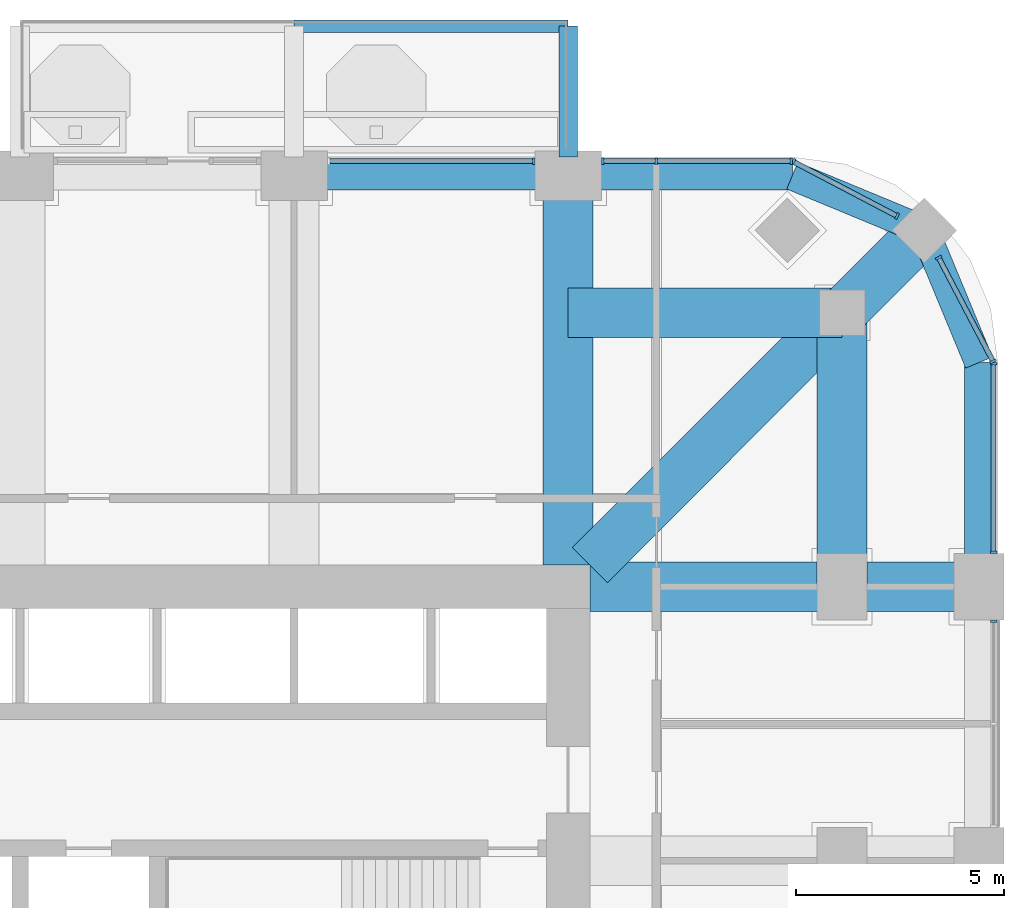
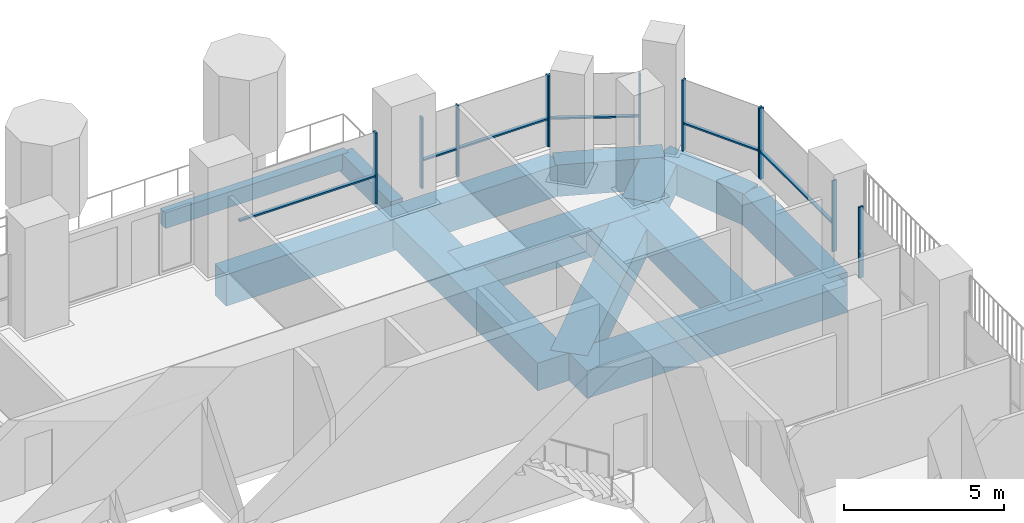
# One storey, part 7 of 20: 17 members, 13 beams, 6 elements without a shape of their own.
"""IFC4 building model written with IfcOpenShell, lengths in metres."""

from ifc_helpers import new_model, si_unit, direction, frame, origin, origin_2d, place, context, subcontext, project, spatial, rectangle, extrude, material, material_profile, profile_set, type_object, element, aggregate, save


model = new_model("IFC4")

# Units and contexts
model_context = context("Model", 3, precision=1e-05, world=origin(), true_north=direction((0.0, 1.0)))
body_context = subcontext(model_context, "Body", "Model", "MODEL_VIEW")
ifc_project = project(units=[si_unit("LENGTHUNIT", "METRE"), si_unit("AREAUNIT", "SQUARE_METRE"), si_unit("VOLUMEUNIT", "CUBIC_METRE"), si_unit("PLANEANGLEUNIT", "RADIAN"), si_unit("MASSUNIT", "GRAM", prefix="KILO")], contexts=[model_context])

# Site, building, storey
site_placement = place(None, origin())
site = spatial("IfcSite", under=ifc_project, at=site_placement, CompositionType="ELEMENT")
building_placement = place(site_placement, origin())
building = spatial("IfcBuilding", under=site, at=building_placement, Name="Cobogo Forest Laboratory Tower", CompositionType="ELEMENT")
storey_placement = place(building_placement, frame((0.0, 0.0, 180.89990234375)))
storey = spatial("IfcBuildingStorey", under=building, at=storey_placement, Name="L41", CompositionType="ELEMENT", Elevation=180.89990234375)

# Beams
ifc_material_1 = material(Name="Concrete HA-40 (C40/50)", Category="concrete")
ifc_material_profile_1 = material_profile(ifc_material_1, rectangle(XDim=0.449951171875, YDim=0.75, at=origin_2d()), Name="RC 450x750")
ifc_profile_set_1 = profile_set([ifc_material_profile_1], Name="Concrete HA-40 (C40/50)")
beam_type_1 = type_object("IfcBeamType", Name="Balcony cantilever beam 450x750", PredefinedType="BEAM", material=ifc_profile_set_1)
beam_1_placement = place(storey_placement, frame((39.60009765625, 43.35009765625, -0.625), z_axis=(0.0, 1.0, 0.0), x_axis=(-1.0, 0.0, 0.0)))
element("IfcBeam", 1, at=beam_1_placement, inside=storey, type_object=beam_type_1, Name="CB1 BAL-N1-C3 L41", PredefinedType="BEAM", context=body_context, shape_type="SweptSolid", body=[
    extrude(rectangle(XDim=0.449951171875, YDim=0.75, at=origin_2d()), origin(), (0.0, 0.0, 1.0), 3.14990234375),
])
ifc_material_profile_2 = material_profile(ifc_material_1, rectangle(XDim=0.300048828125, YDim=0.60009765625, at=origin_2d()), Name="RC 300x600")
ifc_profile_set_2 = profile_set([ifc_material_profile_2], Name="Concrete HA-40 (C40/50)")
beam_type_2 = type_object("IfcBeamType", Name="Balcony edge beam 300x600", PredefinedType="BEAM", material=ifc_profile_set_2)
beam_2_placement = place(storey_placement, frame((33.0, 46.5, -0.5498046875), z_axis=(1.0, 0.0, 0.0), x_axis=(0.0, 1.0, 0.0)))
element("IfcBeam", 2, at=beam_2_placement, inside=storey, type_object=beam_type_2, Name="BB1 BAL-N1-T2 L41", PredefinedType="BEAM", context=body_context, shape_type="SweptSolid", body=[
    extrude(rectangle(XDim=0.300048828125, YDim=0.60009765625, at=origin_2d()), origin(), (0.0, 0.0, 1.0), 6.60009765625),
])
ifc_material_profile_3 = material_profile(ifc_material_1, rectangle(XDim=1.199951171875, YDim=1.050048828125, at=origin_2d()), Name="RC 1200x1050")
ifc_profile_set_3 = profile_set([ifc_material_profile_3], Name="Concrete HA-40 (C40/50)")
beam_type_3 = type_object("IfcBeamType", Name="Laboratory floor wide beam 1200x1050", PredefinedType="BEAM", material=ifc_profile_set_3)
for number, where, z_axis, x_axis, name in (
    (3, (39.60009765625, 33.52490234375, -0.824951171875), (0.0, 1.0, 0.0), (-1.0, 0.0, 0.0), "RB1 R-7-N L41"),
    (4, (40.125, 33.0, -0.824951171875), (1.0, 0.0, 0.0), (0.0, 1.0, 0.0), "RB1 R-F-E L41"),
):
    element("IfcBeam", number, at=place(storey_placement, frame(where, z_axis=z_axis, x_axis=x_axis)), inside=storey, type_object=beam_type_3, Name=name, PredefinedType="BEAM", context=body_context, shape_type="SweptSolid", body=[
        extrude(rectangle(XDim=1.199951171875, YDim=1.050048828125, at=origin_2d()), origin(), (0.0, 0.0, 1.0), 9.375),
    ])
beam_3_placement = place(storey_placement, frame((46.199951171875, 39.60009765625, -0.824951171875), z_axis=(0.0, -1.0, 0.0), x_axis=(1.0, 0.0, 0.0)))
element("IfcBeam", 5, at=beam_3_placement, inside=storey, type_object=beam_type_3, Name="RB1 G-NE-XC L41", PredefinedType="BEAM", context=body_context, shape_type="SweptSolid", body=[
    extrude(rectangle(XDim=1.199951171875, YDim=1.050048828125, at=origin_2d()), origin(), (0.0, 0.0, 1.0), 6.60009765625),
])
beam_4_placement = place(storey_placement, frame((46.199951171875, 39.60009765625, -0.824951171875), z_axis=(-1.0, 0.0, 0.0), x_axis=(0.0, -1.0, 0.0)))
element("IfcBeam", 6, at=beam_4_placement, inside=storey, type_object=beam_type_3, Name="RB1 G-NE-YC L41", PredefinedType="BEAM", context=body_context, shape_type="SweptSolid", body=[
    extrude(rectangle(XDim=1.199951171875, YDim=1.050048828125, at=origin_2d()), origin(), (0.0, 0.0, 1.0), 6.599853515625),
])
beam_5_placement = place(storey_placement, frame((48.181884765625, 41.58203125, -0.824951171875), z_axis=(-0.707106781187, -0.707106781187, 0.0), x_axis=(0.707106781187, -0.707106781187, 0.0)))
element("IfcBeam", 7, at=beam_5_placement, inside=storey, type_object=beam_type_3, Name="RB1 G-NE-D1 L41", PredefinedType="BEAM", context=body_context, shape_type="SweptSolid", body=[
    extrude(rectangle(XDim=1.199951171875, YDim=1.050048828125, at=origin_2d()), origin(), (0.0, 0.0, 1.0), 2.802978515625),
])
beam_6_placement = place(storey_placement, frame((46.199951171875, 39.60009765625, -0.824951171875), z_axis=(-0.707092572697, -0.70712098939, 0.0), x_axis=(0.70712098939, -0.707092572697, 0.0)))
element("IfcBeam", 8, at=beam_6_placement, inside=storey, type_object=beam_type_3, Name="RB1 G-NE-D2 L41", PredefinedType="BEAM", context=body_context, shape_type="SweptSolid", body=[
    extrude(rectangle(XDim=1.199951171875, YDim=1.050048828125, at=origin_2d()), origin(), (0.0, 0.0, 1.0), 8.591552734375),
])

# Curtain wall, member
ifc_material_2 = material(Name="Aluminium curtain wall", Category="aluminium")
curtain_wall_type = type_object("IfcCurtainWallType", Name="CW-2 unitised curtain wall, solar control glazing, laboratory floors zones C and D", PredefinedType="USERDEFINED", material=ifc_material_2)
curtain_wall_1_placement = place(storey_placement, origin())
curtain_wall_1 = element("IfcCurtainWall", 9, at=curtain_wall_1_placement, inside=storey, type_object=curtain_wall_type, Name="Curtain wall 12 L41", ObjectType="UNITISED CURTAIN WALL", PredefinedType="USERDEFINED")
ifc_material_3 = material(Name="Aluminium mullion", Category="aluminium")
ifc_material_profile_4 = material_profile(ifc_material_3, rectangle(XDim=0.06005859375, YDim=0.159912109375, at=origin_2d()), Name="AL 60x160")
ifc_profile_set_4 = profile_set([ifc_material_profile_4], Name="Aluminium mullion")
member_type_1 = type_object("IfcMemberType", Name="MU-1 aluminium mullion 60x160", PredefinedType="MULLION", material=ifc_profile_set_4)
member_1_placement = place(storey_placement, frame((49.85009765625, 32.169921875, 0.0), z_axis=(0.0, 0.0, 1.0), x_axis=(0.0, 1.0, 0.0)))
member_1 = element("IfcMember", 10, at=member_1_placement, type_object=member_type_1, Name="CW-2 mullion 3", PredefinedType="MULLION", context=body_context, shape_type="SweptSolid", body=[
    extrude(rectangle(XDim=0.06005859375, YDim=0.159912109375, at=origin_2d()), origin(), (0.0, 0.0, 1.0), 2.7001953125),
])
aggregate(curtain_wall_1, [member_1])

# Curtain wall, members
curtain_wall_2_placement = place(storey_placement, origin())
curtain_wall_2 = element("IfcCurtainWall", 11, at=curtain_wall_2_placement, inside=storey, type_object=curtain_wall_type, Name="Curtain wall 13 L41", ObjectType="UNITISED CURTAIN WALL", PredefinedType="USERDEFINED")
member_2_placement = place(storey_placement, frame((49.85009765625, 33.830078125, 0.0), z_axis=(0.0, 0.0, 1.0), x_axis=(0.0, 1.0, 0.0)))
member_2 = element("IfcMember", 12, at=member_2_placement, type_object=member_type_1, Name="CW-2 mullion 1", PredefinedType="MULLION", context=body_context, shape_type="SweptSolid", body=[
    extrude(rectangle(XDim=0.06005859375, YDim=0.159912109375, at=origin_2d()), origin(), (0.0, 0.0, 1.0), 2.7001953125),
])
member_3_placement = place(storey_placement, frame((49.85009765625, 38.3701171875, 0.0), z_axis=(0.0, 0.0, 1.0), x_axis=(0.0, 1.0, 0.0)))
member_3 = element("IfcMember", 13, at=member_3_placement, type_object=member_type_1, Name="CW-2 mullion 2", PredefinedType="MULLION", context=body_context, shape_type="SweptSolid", body=[
    extrude(rectangle(XDim=0.06005859375, YDim=0.159912109375, at=origin_2d()), origin(), (0.0, 0.0, 1.0), 2.7001953125),
])

curtain_wall_3_placement = place(storey_placement, origin())
curtain_wall_3 = element("IfcCurtainWall", 14, at=curtain_wall_3_placement, inside=storey, type_object=curtain_wall_type, Name="Curtain wall 14 L41", ObjectType="UNITISED CURTAIN WALL", PredefinedType="USERDEFINED")
member_4_placement = place(storey_placement, frame((49.836181640625, 38.426513671875, 0.0), z_axis=(0.0, 0.0, 1.0), x_axis=(-0.464283804832, 0.885686484356, 0.0)))
member_4 = element("IfcMember", 15, at=member_4_placement, type_object=member_type_1, Name="CW-2 mullion 1", PredefinedType="MULLION", context=body_context, shape_type="SweptSolid", body=[
    extrude(rectangle(XDim=0.06005859375, YDim=0.159912109375, at=origin_2d()), origin(), (0.0, 0.0, 1.0), 2.7001953125),
])
member_5_placement = place(storey_placement, frame((48.526611328125, 40.924560546875, 0.0), z_axis=(0.0, 0.0, 1.0), x_axis=(-0.464283804832, 0.885686484356, 0.0)))
member_5 = element("IfcMember", 16, at=member_5_placement, type_object=member_type_1, Name="CW-2 mullion 2", PredefinedType="MULLION", context=body_context, shape_type="SweptSolid", body=[
    extrude(rectangle(XDim=0.06005859375, YDim=0.159912109375, at=origin_2d()), origin(), (0.0, 0.0, 1.0), 2.7001953125),
])

curtain_wall_4_placement = place(storey_placement, origin())
curtain_wall_4 = element("IfcCurtainWall", 17, at=curtain_wall_4_placement, inside=storey, type_object=curtain_wall_type, Name="Curtain wall 15 L41", ObjectType="UNITISED CURTAIN WALL", PredefinedType="USERDEFINED")
member_6_placement = place(storey_placement, frame((47.5244140625, 41.9267578125, 0.0), z_axis=(0.0, 0.0, 1.0), x_axis=(-0.885686484356, 0.464283804832, 0.0)))
member_6 = element("IfcMember", 18, at=member_6_placement, type_object=member_type_1, Name="CW-2 mullion 1", PredefinedType="MULLION", context=body_context, shape_type="SweptSolid", body=[
    extrude(rectangle(XDim=0.06005859375, YDim=0.159912109375, at=origin_2d()), origin(), (0.0, 0.0, 1.0), 2.7001953125),
])
member_7_placement = place(storey_placement, frame((45.026611328125, 43.236083984375, 0.0), z_axis=(0.0, 0.0, 1.0), x_axis=(-0.885686484356, 0.464283804832, 0.0)))
member_7 = element("IfcMember", 19, at=member_7_placement, type_object=member_type_1, Name="CW-2 mullion 2", PredefinedType="MULLION", context=body_context, shape_type="SweptSolid", body=[
    extrude(rectangle(XDim=0.06005859375, YDim=0.159912109375, at=origin_2d()), origin(), (0.0, 0.0, 1.0), 2.7001953125),
])

curtain_wall_5_placement = place(storey_placement, origin())
curtain_wall_5 = element("IfcCurtainWall", 20, at=curtain_wall_5_placement, inside=storey, type_object=curtain_wall_type, Name="Curtain wall 16 L41", ObjectType="UNITISED CURTAIN WALL", PredefinedType="USERDEFINED")
member_8_placement = place(storey_placement, frame((44.969970703125, 43.25, 0.0), z_axis=(0.0, 0.0, 1.0), x_axis=(-1.0, 0.0, 0.0)))
member_8 = element("IfcMember", 21, at=member_8_placement, type_object=member_type_1, Name="CW-2 mullion 1", PredefinedType="MULLION", context=body_context, shape_type="SweptSolid", body=[
    extrude(rectangle(XDim=0.06005859375, YDim=0.159912109375, at=origin_2d()), origin(), (0.0, 0.0, 1.0), 2.7001953125),
])
member_9_placement = place(storey_placement, frame((41.72509765625, 43.25, 0.0), z_axis=(0.0, 0.0, 1.0), x_axis=(-1.0, 0.0, 0.0)))
member_9 = element("IfcMember", 22, at=member_9_placement, type_object=member_type_1, Name="CW-2 mullion 2", PredefinedType="MULLION", context=body_context, shape_type="SweptSolid", body=[
    extrude(rectangle(XDim=0.06005859375, YDim=0.159912109375, at=origin_2d()), origin(), (0.0, 0.0, 1.0), 2.7001953125),
])
member_10_placement = place(storey_placement, frame((40.429931640625, 43.25, 0.0), z_axis=(0.0, 0.0, 1.0), x_axis=(-1.0, 0.0, 0.0)))
member_10 = element("IfcMember", 23, at=member_10_placement, type_object=member_type_1, Name="CW-2 mullion 3", PredefinedType="MULLION", context=body_context, shape_type="SweptSolid", body=[
    extrude(rectangle(XDim=0.06005859375, YDim=0.159912109375, at=origin_2d()), origin(), (0.0, 0.0, 1.0), 2.7001953125),
])

# Curtain wall, member
curtain_wall_6_placement = place(storey_placement, origin())
curtain_wall_6 = element("IfcCurtainWall", 24, at=curtain_wall_6_placement, inside=storey, type_object=curtain_wall_type, Name="Curtain wall 17 L41", ObjectType="UNITISED CURTAIN WALL", PredefinedType="USERDEFINED")
member_11_placement = place(storey_placement, frame((38.77001953125, 43.25, 0.0), z_axis=(0.0, 0.0, 1.0), x_axis=(-1.0, 0.0, 0.0)))
member_11 = element("IfcMember", 25, at=member_11_placement, type_object=member_type_1, Name="CW-2 mullion 1", PredefinedType="MULLION", context=body_context, shape_type="SweptSolid", body=[
    extrude(rectangle(XDim=0.06005859375, YDim=0.159912109375, at=origin_2d()), origin(), (0.0, 0.0, 1.0), 2.7001953125),
])

# Beams
ifc_material_profile_5 = material_profile(ifc_material_1, rectangle(XDim=0.699951171875, YDim=1.199951171875, at=origin_2d()), Name="RC 700x1200")
ifc_profile_set_5 = profile_set([ifc_material_profile_5], Name="Concrete HA-40 (C40/50)")
beam_type_4 = type_object("IfcBeamType", Name="Perimeter edge beam 700x1200", PredefinedType="BEAM", material=ifc_profile_set_5)
beam_7_placement = place(storey_placement, frame((33.0, 42.89990234375, -0.89990234375), z_axis=(1.0, 0.0, 0.0), x_axis=(0.0, 1.0, 0.0)))
element("IfcBeam", 26, at=beam_7_placement, inside=storey, type_object=beam_type_4, Name="EB1 E-N4 L41", PredefinedType="BEAM", context=body_context, shape_type="SweptSolid", body=[
    extrude(rectangle(XDim=0.699951171875, YDim=1.199951171875, at=origin_2d()), origin(), (0.0, 0.0, 1.0), 6.60009765625),
])
beam_8_placement = place(storey_placement, frame((49.5, 33.0, -0.89990234375), z_axis=(0.0, 1.0, 0.0), x_axis=(-1.0, 0.0, 0.0)))
element("IfcBeam", 27, at=beam_8_placement, inside=storey, type_object=beam_type_4, Name="EB1 E-NEE1 L41", PredefinedType="BEAM", context=body_context, shape_type="SweptSolid", body=[
    extrude(rectangle(XDim=0.699951171875, YDim=1.199951171875, at=origin_2d()), origin(), (0.0, 0.0, 1.0), 5.39990234375),
])
beam_9_placement = place(storey_placement, frame((49.5, 38.39990234375, -0.89990234375), z_axis=(-0.382691928466, 0.923876013265, 0.0), x_axis=(-0.923876013265, -0.382691928466, 0.0)))
element("IfcBeam", 28, at=beam_9_placement, inside=storey, type_object=beam_type_4, Name="EB1 E-NEE2 L41", PredefinedType="BEAM", context=body_context, shape_type="SweptSolid", body=[
    extrude(rectangle(XDim=0.699951171875, YDim=1.199951171875, at=origin_2d()), origin(), (0.0, 0.0, 1.0), 3.4443359375),
])
beam_10_placement = place(storey_placement, frame((39.60009765625, 42.89990234375, -0.89990234375), z_axis=(1.0, 0.0, 0.0), x_axis=(0.0, 1.0, 0.0)))
element("IfcBeam", 29, at=beam_10_placement, inside=storey, type_object=beam_type_4, Name="EB1 E-NEN1 L41", PredefinedType="BEAM", context=body_context, shape_type="SweptSolid", body=[
    extrude(rectangle(XDim=0.699951171875, YDim=1.199951171875, at=origin_2d()), origin(), (0.0, 0.0, 1.0), 5.39990234375),
])
beam_11_placement = place(storey_placement, frame((45.0, 42.89990234375, -0.89990234375), z_axis=(0.923890694089, -0.382656484822, 0.0), x_axis=(0.382656484822, 0.923890694089, 0.0)))
element("IfcBeam", 30, at=beam_11_placement, inside=storey, type_object=beam_type_4, Name="EB1 E-NEN2 L41", PredefinedType="BEAM", context=body_context, shape_type="SweptSolid", body=[
    extrude(rectangle(XDim=0.699951171875, YDim=1.199951171875, at=origin_2d()), origin(), (0.0, 0.0, 1.0), 3.444091796875),
])

# Member
ifc_material_4 = material(Name="Aluminium transom", Category="aluminium")
ifc_material_profile_6 = material_profile(ifc_material_4, rectangle(XDim=0.1201171875, YDim=0.06005859375, at=origin_2d()), Name="AL 60x120")
ifc_profile_set_6 = profile_set([ifc_material_profile_6], Name="Aluminium transom")
member_type_2 = type_object("IfcMemberType", Name="TR-1 aluminium transom 60x120", PredefinedType="USERDEFINED", material=ifc_profile_set_6)
member_12_placement = place(storey_placement, frame((49.85009765625, 33.860107421875, 1.050048828125), z_axis=(0.0, 1.0, 0.0), x_axis=(-1.0, 0.0, 0.0)))
member_12 = element("IfcMember", 31, at=member_12_placement, type_object=member_type_2, Name="CW-2 transom 1.1", ObjectType="TRANSOM", PredefinedType="USERDEFINED", context=body_context, shape_type="SweptSolid", body=[
    extrude(rectangle(XDim=0.1201171875, YDim=0.06005859375, at=origin_2d()), origin(), (0.0, 0.0, 1.0), 4.47998046875),
])

aggregate(curtain_wall_2, [member_2, member_3, member_12])

member_13_placement = place(storey_placement, frame((49.822021484375, 38.453125, 1.050048828125), z_axis=(-0.464254846591, 0.88570166389, 0.0), x_axis=(-0.88570166389, -0.464254846591, 0.0)))
member_13 = element("IfcMember", 32, at=member_13_placement, type_object=member_type_2, Name="CW-2 transom 1.1", ObjectType="TRANSOM", PredefinedType="USERDEFINED", context=body_context, shape_type="SweptSolid", body=[
    extrude(rectangle(XDim=0.1201171875, YDim=0.06005859375, at=origin_2d()), origin(), (0.0, 0.0, 1.0), 2.76025390625),
])

aggregate(curtain_wall_3, [member_4, member_5, member_13])

member_14_placement = place(storey_placement, frame((47.497802734375, 41.940673828125, 1.050048828125), z_axis=(-0.885682598583, 0.464291217414, 0.0), x_axis=(-0.464291217414, -0.885682598583, 0.0)))
member_14 = element("IfcMember", 33, at=member_14_placement, type_object=member_type_2, Name="CW-2 transom 1.1", ObjectType="TRANSOM", PredefinedType="USERDEFINED", context=body_context, shape_type="SweptSolid", body=[
    extrude(rectangle(XDim=0.1201171875, YDim=0.06005859375, at=origin_2d()), origin(), (0.0, 0.0, 1.0), 2.760009765625),
])

aggregate(curtain_wall_4, [member_6, member_7, member_14])

member_15_placement = place(storey_placement, frame((44.93994140625, 43.25, 1.050048828125), z_axis=(-1.0, 0.0, 0.0), x_axis=(0.0, -1.0, 0.0)))
member_15 = element("IfcMember", 34, at=member_15_placement, type_object=member_type_2, Name="CW-2 transom 1.1", ObjectType="TRANSOM", PredefinedType="USERDEFINED", context=body_context, shape_type="SweptSolid", body=[
    extrude(rectangle(XDim=0.1201171875, YDim=0.06005859375, at=origin_2d()), origin(), (0.0, 0.0, 1.0), 3.18505859375),
])

member_16_placement = place(storey_placement, frame((41.695068359375, 43.25, 1.050048828125), z_axis=(-1.0, 0.0, 0.0), x_axis=(0.0, -1.0, 0.0)))
member_16 = element("IfcMember", 35, at=member_16_placement, type_object=member_type_2, Name="CW-2 transom 2.1", ObjectType="TRANSOM", PredefinedType="USERDEFINED", context=body_context, shape_type="SweptSolid", body=[
    extrude(rectangle(XDim=0.1201171875, YDim=0.06005859375, at=origin_2d()), origin(), (0.0, 0.0, 1.0), 1.235107421875),
])

aggregate(curtain_wall_5, [member_8, member_9, member_10, member_15, member_16])

member_17_placement = place(storey_placement, frame((38.739990234375, 43.25, 1.050048828125), z_axis=(-1.0, 0.0, 0.0), x_axis=(0.0, -1.0, 0.0)))
member_17 = element("IfcMember", 36, at=member_17_placement, type_object=member_type_2, Name="CW-2 transom 1.1", ObjectType="TRANSOM", PredefinedType="USERDEFINED", context=body_context, shape_type="SweptSolid", body=[
    extrude(rectangle(XDim=0.1201171875, YDim=0.06005859375, at=origin_2d()), origin(), (0.0, 0.0, 1.0), 4.8798828125),
])

aggregate(curtain_wall_6, [member_11, member_17])

save(model, "model.ifc")
